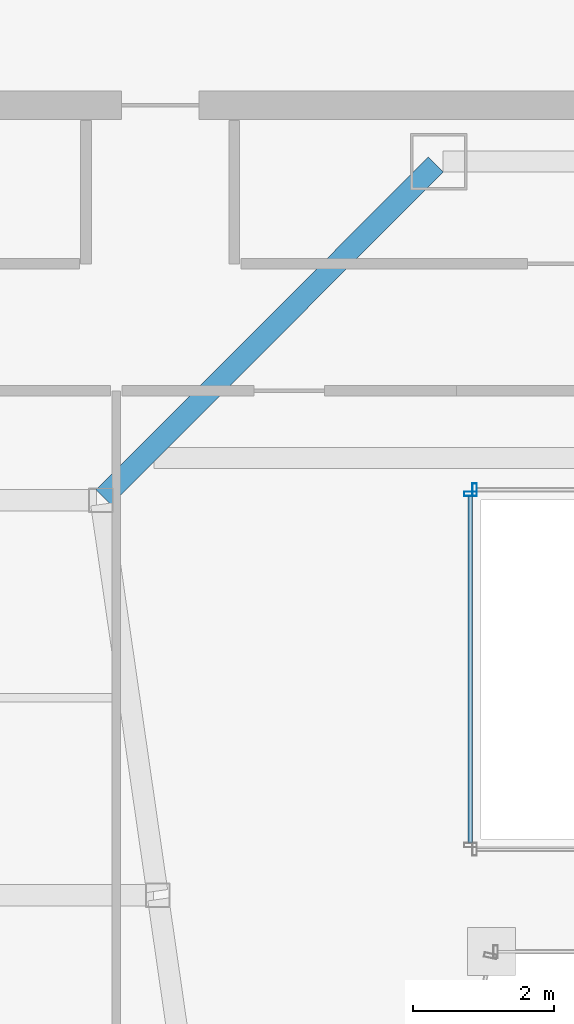
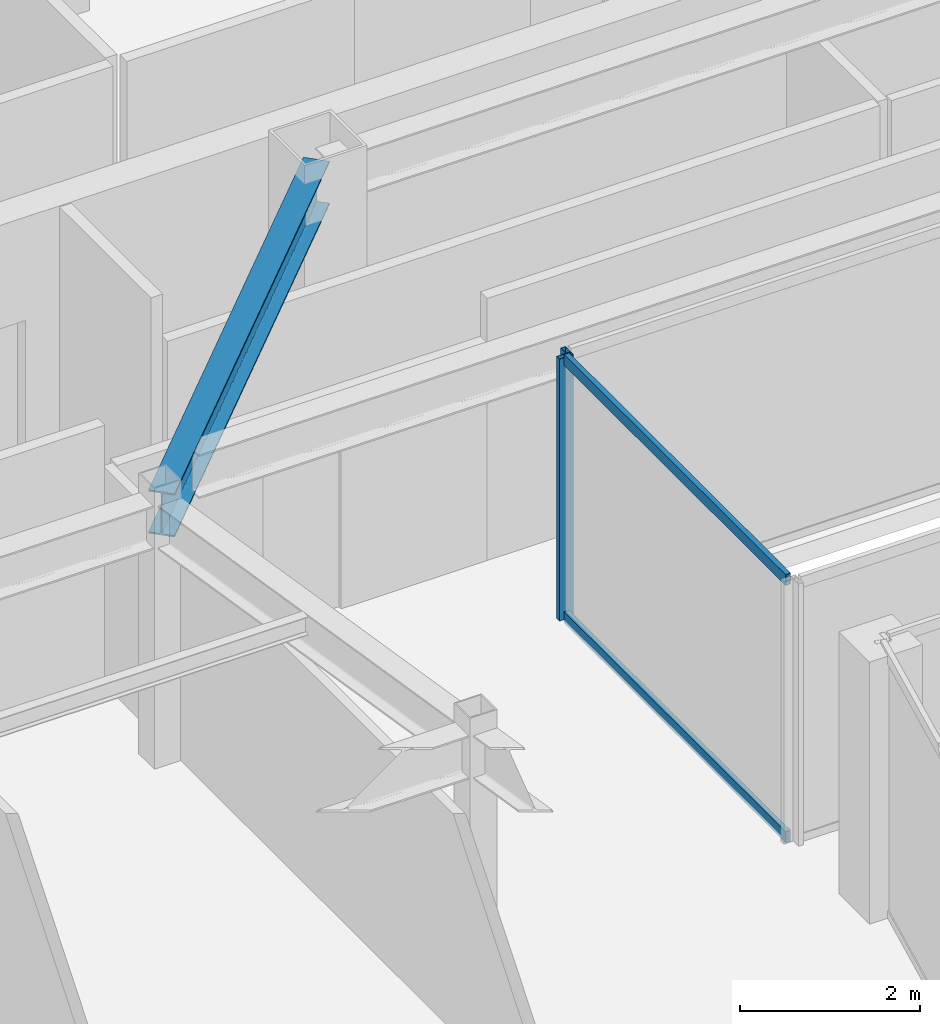
# One storey, part 9 of 33: 4 members, 1 beam, 2 elements without a shape of their own.
"""IFC4 building model written with IfcOpenShell, lengths in metres."""

import ifcopenshell
import ifcopenshell.guid

model = None  # the IFC model being written
_history = None  # IfcOwnerHistory: only IFC2X3 demands one
_inside = {}  # id of a spatial element -> (the spatial element, [elements in it])
_under = {}  # id of a project, library or spatial element -> (it, [spatial elements below it])
_declared = {}  # id of a project -> (the project, [libraries it declares])
_typed = {}  # id of a type object -> (the type object, [elements of that type])
_made_of = {}  # id of a material, layer set ... -> (it, [elements and type objects made of it])


def new_model(schema):
    """Start an empty IFC model of exactly this schema.

    Asked for "IFC4X3", IfcOpenShell would pick the latest addendum, in which some entities
    have other attributes; the version numbers below select the first issue.
    IFC2X3 requires an IfcOwnerHistory on every rooted entity: one is made here for all.
    """
    global model, _history
    if schema == "IFC4X3":
        model = ifcopenshell.file(schema_version=(4, 3, 0, 0))
    else:
        model = ifcopenshell.file(schema=schema)
    _inside.clear()
    _under.clear()
    _declared.clear()
    _typed.clear()
    _made_of.clear()
    _history = None
    if model.schema == "IFC2X3":
        org = make("IfcOrganization", Name="unknown")
        user = make(
            "IfcPersonAndOrganization",
            ThePerson=make("IfcPerson", FamilyName="unknown"),
            TheOrganization=org,
        )
        app = make(
            "IfcApplication",
            ApplicationDeveloper=org,
            Version="unknown",
            ApplicationFullName="unknown",
            ApplicationIdentifier="unknown",
        )
        _history = make(
            "IfcOwnerHistory",
            OwningUser=user,
            OwningApplication=app,
            ChangeAction="ADDED",
            CreationDate=0,
        )
    return model


def make(cls, **values):
    """One entity of the class cls with the attributes given. An attribute that is None is left unset."""
    return model.create_entity(
        cls, **{name: value for name, value in values.items() if value is not None}
    )


def rooted(cls, **values):
    """An entity with a GlobalId (a new one), such as an element, a storey or a relation."""
    return make(cls, GlobalId=ifcopenshell.guid.new(), OwnerHistory=_history, **values)


def si_unit(unit_type, name, prefix=None):
    """IfcSIUnit, for example si_unit("LENGTHUNIT", "METRE", prefix="MILLI")."""
    return make("IfcSIUnit", UnitType=unit_type, Prefix=prefix, Name=name)


def assignment(units):
    """IfcUnitAssignment: the units of a project."""
    return None if units is None else make("IfcUnitAssignment", Units=units)


def point(xyz):
    """IfcCartesianPoint."""
    return None if xyz is None else make("IfcCartesianPoint", Coordinates=xyz)


def direction(xyz):
    """IfcDirection."""
    return None if xyz is None else make("IfcDirection", DirectionRatios=xyz)


def frame(location, z_axis=None, x_axis=None):
    """IfcAxis2Placement3D, a coordinate frame: its origin and axes. An axis left out is left unset."""
    return make(
        "IfcAxis2Placement3D",
        Location=point(location),
        Axis=direction(z_axis),
        RefDirection=direction(x_axis),
    )


def frame_2d(location, x_axis=None):
    """IfcAxis2Placement2D, a coordinate frame in the plane: its origin and x axis."""
    return make(
        "IfcAxis2Placement2D", Location=point(location), RefDirection=direction(x_axis)
    )


def origin():
    """The frame at (0, 0, 0) with its axes left unset."""
    return frame((0.0, 0.0, 0.0))


def origin_2d():
    """The frame at (0, 0) in the plane with its x axis left unset."""
    return frame_2d((0.0, 0.0))


def place(relative_to, where):
    """IfcLocalPlacement: puts the frame where relative to a parent placement (None: the world)."""
    return make(
        "IfcLocalPlacement", PlacementRelTo=relative_to, RelativePlacement=where
    )


def context(
    kind, dimensions, precision=None, world=None, true_north=None, identifier=None
):
    """IfcGeometricRepresentationContext, for example the 3D "Model" context."""
    return make(
        "IfcGeometricRepresentationContext",
        ContextIdentifier=identifier,
        ContextType=kind,
        CoordinateSpaceDimension=dimensions,
        Precision=precision,
        WorldCoordinateSystem=world,
        TrueNorth=true_north,
    )


def subcontext(parent, identifier, kind, view, scale=None):
    """IfcGeometricRepresentationSubContext, for example "Body" below "Model"."""
    return make(
        "IfcGeometricRepresentationSubContext",
        ContextIdentifier=identifier,
        ContextType=kind,
        ParentContext=parent,
        TargetScale=scale,
        TargetView=view,
    )


def project(units=None, contexts=None):
    """IfcProject with its units and contexts."""
    return rooted(
        "IfcProject",
        Name="project",
        RepresentationContexts=contexts,
        UnitsInContext=assignment(units),
    )


def spatial(cls, under=None, at=None, **own):
    """A site, building, storey or space (cls), placed at a placement, below another one or the project."""
    s = rooted(cls, ObjectPlacement=at, **own)
    if under is not None:
        _under.setdefault(under.id(), (under, []))[1].append(s)
    return s


def profile(cls, at=None, kind="AREA", **sizes):
    """A parametric profile (cls). Its sizes go by their IFC names, for example OverallWidth=200.0."""
    return make(cls, ProfileType=kind, Position=at, **sizes)


def hollow_rectangle(**sizes):
    """IfcRectangleHollowProfileDef."""
    return profile("IfcRectangleHollowProfileDef", **sizes)


def i_section(**sizes):
    """IfcIShapeProfileDef."""
    return profile("IfcIShapeProfileDef", **sizes)


def extrude(swept, where, along, depth):
    """IfcExtrudedAreaSolid: the profile swept, set in the frame where, extruded along a direction by depth."""
    return make(
        "IfcExtrudedAreaSolid",
        SweptArea=swept,
        Position=where,
        ExtrudedDirection=direction(along),
        Depth=depth,
    )


def shape(context_of_items, identifier, shape_type, items):
    """IfcShapeRepresentation: the items that make up one representation, for example the "Body"."""
    return make(
        "IfcShapeRepresentation",
        ContextOfItems=context_of_items,
        RepresentationIdentifier=identifier,
        RepresentationType=shape_type,
        Items=items,
    )


def material(Name=None, Category=None):
    """IfcMaterial."""
    return make("IfcMaterial", Name=Name, Category=Category)


def material_profile(
    of_material, cross_section, Name=None, Category=None, Priority=None
):
    """IfcMaterialProfile: a cross section and its material."""
    return make(
        "IfcMaterialProfile",
        Name=Name,
        Material=of_material,
        Profile=cross_section,
        Priority=Priority,
        Category=Category,
    )


def profile_set(profiles, Name=None, composite=None):
    """IfcMaterialProfileSet."""
    return make(
        "IfcMaterialProfileSet",
        Name=Name,
        MaterialProfiles=profiles,
        CompositeProfile=composite,
    )


def made_of(thing, what):
    """Note that an element or type object is made of a material, layer set ...; save() writes the relation."""
    if what is not None:
        _made_of.setdefault(what.id(), (what, []))[1].append(thing)
    return thing


def type_object(cls, material=None, **own):
    """A type object (cls), such as IfcWallType, which elements share."""
    return made_of(rooted(cls, **own), material)


def element(
    cls,
    number,
    at=None,
    inside=None,
    cuts=None,
    type_object=None,
    material=None,
    context=None,
    identifier="Body",
    shape_type=None,
    held_by="IfcProductDefinitionShape",
    body=None,
    shapes=None,
    **own,
):
    """One element of the class cls, such as IfcWall. Its Tag is "e" and its number.

    at: its placement. inside: the storey or other place that contains it. cuts: it is an
    opening in that element (IfcRelVoidsElement). A single representation is given by context,
    identifier, shape_type and body (its items); several are given by shapes. held_by: the class
    of the entity that holds the representations. save() writes the other relations.
    """
    e = rooted(cls, Tag="e%d" % number, ObjectPlacement=at, **own)
    if body is not None:
        shapes = [shape(context, identifier, shape_type, body)]
    if shapes is not None:
        e.Representation = make(held_by, Representations=shapes)
    if inside is not None:
        _inside.setdefault(inside.id(), (inside, []))[1].append(e)
    if cuts is not None:
        rooted(
            "IfcRelVoidsElement", RelatingBuildingElement=cuts, RelatedOpeningElement=e
        )
    if type_object is not None:
        _typed.setdefault(type_object.id(), (type_object, []))[1].append(e)
    return made_of(e, material)


def aggregate(whole, parts):
    """IfcRelAggregates: a whole, such as a stair, and the parts it consists of."""
    return rooted("IfcRelAggregates", RelatingObject=whole, RelatedObjects=parts)


def save(model, path):
    """Write the relations noted so far, then the file.

    IfcRelAggregates (storeys below a building ...), IfcRelContainedInSpatialStructure (elements
    in a storey), IfcRelDefinesByType, IfcRelAssociatesMaterial and IfcRelDeclares: one each for
    every whole, place, type object, material and project.
    """
    for whole, parts in _under.values():
        aggregate(whole, parts)
    for where, things in _inside.values():
        rooted(
            "IfcRelContainedInSpatialStructure",
            RelatedElements=things,
            RelatingStructure=where,
        )
    for kind, things in _typed.values():
        rooted("IfcRelDefinesByType", RelatedObjects=things, RelatingType=kind)
    for what, things in _made_of.values():
        rooted("IfcRelAssociatesMaterial", RelatedObjects=things, RelatingMaterial=what)
    for by, libraries in _declared.values():
        rooted("IfcRelDeclares", RelatingContext=by, RelatedDefinitions=libraries)
    model.write(path)


model = new_model("IFC4")

# Units and contexts
model_context = context("Model", 3, precision=1e-05, world=origin(), true_north=direction((0.0, 1.0)))
body_context = subcontext(model_context, "Body", "Model", "MODEL_VIEW")
ifc_project = project(units=[si_unit("LENGTHUNIT", "METRE"), si_unit("AREAUNIT", "SQUARE_METRE"), si_unit("VOLUMEUNIT", "CUBIC_METRE"), si_unit("PLANEANGLEUNIT", "RADIAN"), si_unit("MASSUNIT", "GRAM", prefix="KILO")], contexts=[model_context])

# Site, building, storey
site_placement = place(None, origin())
site = spatial("IfcSite", under=ifc_project, at=site_placement, CompositionType="ELEMENT")
building_placement = place(site_placement, origin())
building = spatial("IfcBuilding", under=site, at=building_placement, Name="Saevonmaru Cultural Tower", CompositionType="ELEMENT")
storey_placement = place(building_placement, frame((0.0, 0.0, 238.199951171875)))
storey = spatial("IfcBuildingStorey", under=building, at=storey_placement, Name="L55", CompositionType="ELEMENT", Elevation=238.199951171875)

# Beam
ifc_material_1 = material(Name="Steel SM355", Category="steel")
ifc_material_profile_1 = material_profile(ifc_material_1, i_section(OverallWidth=0.300048828125, OverallDepth=0.587890625, WebThickness=0.011962890625, FlangeThickness=0.02001953125, FilletRadius=0.02392578125, at=origin_2d()), Name="H-588x300x12x20")
ifc_profile_set_1 = profile_set([ifc_material_profile_1], Name="Steel SM355")
beam_type = type_object("IfcBeamType", Name="BM-G-H588", PredefinedType="BEAM", material=ifc_profile_set_1)
beam_placement = place(storey_placement, frame((18.850341796875, 37.642578125, 3.256103515625), z_axis=(0.706538566564, 0.707674539572, 0.0), x_axis=(-0.707674539572, 0.706538566564, 0.0)))
element("IfcBeam", 1, at=beam_placement, inside=storey, type_object=beam_type, Name="L55 West Atrium Girder 4", PredefinedType="BEAM", context=body_context, shape_type="SweptSolid", body=[
    extrude(i_section(OverallWidth=0.300048828125, OverallDepth=0.587890625, WebThickness=0.011962890625, FlangeThickness=0.02001953125, FilletRadius=0.02392578125, at=origin_2d()), origin(), (0.0, 0.0, 1.0), 6.662353515625),
])

# Curtain wall, member
ifc_material_2 = material(Name="Satin Bronze Anodised Aluminium", Category="aluminium")
curtain_wall_type = type_object("IfcCurtainWallType", Name="CW-ATR-GLZ", PredefinedType="NOTDEFINED", material=ifc_material_2)
curtain_wall_1_placement = place(storey_placement, origin())
curtain_wall_1 = element("IfcCurtainWall", 2, at=curtain_wall_1_placement, inside=storey, type_object=curtain_wall_type, Name="L55 Vertical Atrium Glazed Smoke Screen 3", PredefinedType="NOTDEFINED")
ifc_material_profile_2 = material_profile(ifc_material_2, hollow_rectangle(XDim=0.06494140625, YDim=0.179931640625, WallThickness=0.00390625, at=origin_2d()), Name="ALU-MULL-180x65x4")
ifc_profile_set_2 = profile_set([ifc_material_profile_2], Name="Satin Bronze Anodised Aluminium")
member_type_1 = type_object("IfcMemberType", Name="ML-CW-INT-180x65", PredefinedType="MULLION", material=ifc_profile_set_2)
member_1_placement = place(storey_placement, frame((24.110107421875, 37.75, 0.0), z_axis=(0.0, 0.0, 1.0), x_axis=(-1.0, 0.0, 0.0)))
member_1 = element("IfcMember", 3, at=member_1_placement, type_object=member_type_1, Name="CW-ATR-L55-3 mullion 2", PredefinedType="MULLION", context=body_context, shape_type="SweptSolid", body=[
    extrude(hollow_rectangle(XDim=0.06494140625, YDim=0.179931640625, WallThickness=0.00390625, at=origin_2d()), origin(), (0.0, 0.0, 1.0), 3.550048828125),
])
aggregate(curtain_wall_1, [member_1])

# Curtain wall, members
curtain_wall_2_placement = place(storey_placement, origin())
curtain_wall_2 = element("IfcCurtainWall", 4, at=curtain_wall_2_placement, inside=storey, type_object=curtain_wall_type, Name="L55 Vertical Atrium Glazed Smoke Screen 4", PredefinedType="NOTDEFINED")
member_2_placement = place(storey_placement, frame((24.050048828125, 37.68994140625, 0.0), z_axis=(0.0, 0.0, 1.0), x_axis=(0.0, -1.0, 0.0)))
member_2 = element("IfcMember", 5, at=member_2_placement, type_object=member_type_1, Name="CW-ATR-L55-4 mullion 1", PredefinedType="MULLION", context=body_context, shape_type="SweptSolid", body=[
    extrude(hollow_rectangle(XDim=0.06494140625, YDim=0.179931640625, WallThickness=0.00390625, at=origin_2d()), origin(), (0.0, 0.0, 1.0), 3.550048828125),
])
ifc_material_profile_3 = material_profile(ifc_material_2, hollow_rectangle(XDim=0.06494140625, YDim=0.14990234375, WallThickness=0.00390625, at=origin_2d()), Name="ALU-TRAN-150x65x4")
ifc_profile_set_3 = profile_set([ifc_material_profile_3], Name="Satin Bronze Anodised Aluminium")
member_type_2 = type_object("IfcMemberType", Name="TR-CW-INT-150x65", PredefinedType="USERDEFINED", material=ifc_profile_set_3)
member_3_placement = place(storey_placement, frame((24.050048828125, 37.657470703125, 0.032470703125), z_axis=(0.0, -1.0, 0.0), x_axis=(1.0, 0.0, 0.0)))
member_3 = element("IfcMember", 6, at=member_3_placement, type_object=member_type_2, Name="CW-ATR-L55-4 transom 1.1", ObjectType="TRANSOM", PredefinedType="USERDEFINED", context=body_context, shape_type="SweptSolid", body=[
    extrude(hollow_rectangle(XDim=0.06494140625, YDim=0.14990234375, WallThickness=0.00390625, at=origin_2d()), origin(), (0.0, 0.0, 1.0), 4.9150390625),
])
member_4_placement = place(storey_placement, frame((24.050048828125, 37.657470703125, 3.517578125), z_axis=(0.0, -1.0, 0.0), x_axis=(1.0, 0.0, 0.0)))
member_4 = element("IfcMember", 7, at=member_4_placement, type_object=member_type_2, Name="CW-ATR-L55-4 transom 1.2", ObjectType="TRANSOM", PredefinedType="USERDEFINED", context=body_context, shape_type="SweptSolid", body=[
    extrude(hollow_rectangle(XDim=0.06494140625, YDim=0.14990234375, WallThickness=0.00390625, at=origin_2d()), origin(), (0.0, 0.0, 1.0), 4.9150390625),
])
aggregate(curtain_wall_2, [member_2, member_3, member_4])

save(model, "model.ifc")
